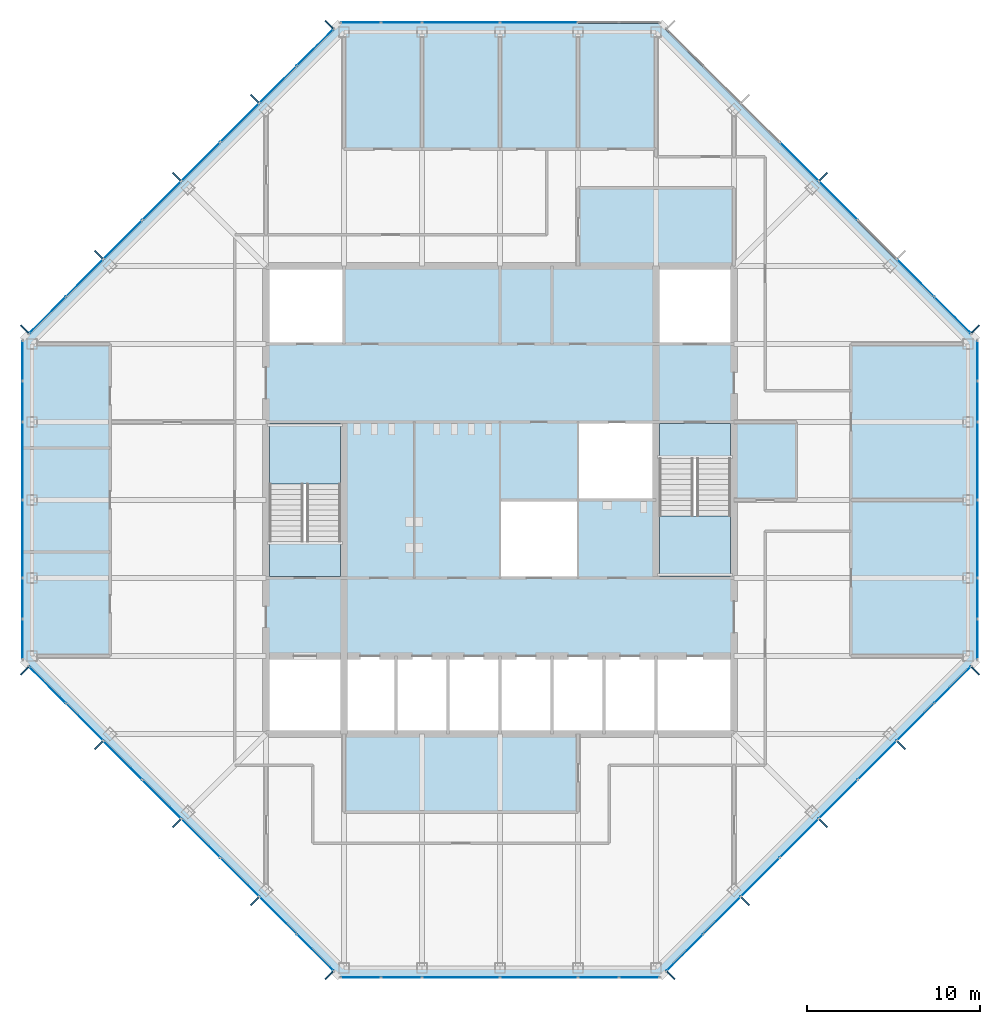
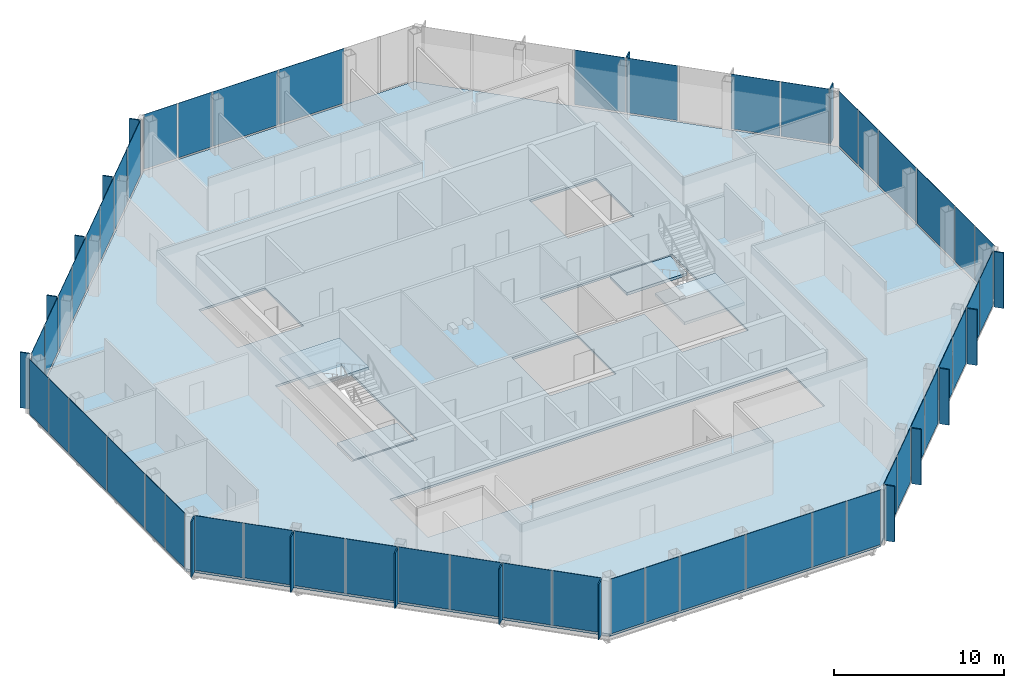
# One storey, part 8 of 14: 67 plates, 5 slabs, 10 elements without a shape of their own.
"""IFC4 building model written with IfcOpenShell, lengths in metres."""

import ifcopenshell
import ifcopenshell.guid

model = None  # the IFC model being written
_history = None  # IfcOwnerHistory: only IFC2X3 demands one
_inside = {}  # id of a spatial element -> (the spatial element, [elements in it])
_under = {}  # id of a project, library or spatial element -> (it, [spatial elements below it])
_declared = {}  # id of a project -> (the project, [libraries it declares])
_typed = {}  # id of a type object -> (the type object, [elements of that type])
_made_of = {}  # id of a material, layer set ... -> (it, [elements and type objects made of it])


def new_model(schema):
    """Start an empty IFC model of exactly this schema.

    Asked for "IFC4X3", IfcOpenShell would pick the latest addendum, in which some entities
    have other attributes; the version numbers below select the first issue.
    IFC2X3 requires an IfcOwnerHistory on every rooted entity: one is made here for all.
    """
    global model, _history
    if schema == "IFC4X3":
        model = ifcopenshell.file(schema_version=(4, 3, 0, 0))
    else:
        model = ifcopenshell.file(schema=schema)
    _inside.clear()
    _under.clear()
    _declared.clear()
    _typed.clear()
    _made_of.clear()
    _history = None
    if model.schema == "IFC2X3":
        org = make("IfcOrganization", Name="unknown")
        user = make(
            "IfcPersonAndOrganization",
            ThePerson=make("IfcPerson", FamilyName="unknown"),
            TheOrganization=org,
        )
        app = make(
            "IfcApplication",
            ApplicationDeveloper=org,
            Version="unknown",
            ApplicationFullName="unknown",
            ApplicationIdentifier="unknown",
        )
        _history = make(
            "IfcOwnerHistory",
            OwningUser=user,
            OwningApplication=app,
            ChangeAction="ADDED",
            CreationDate=0,
        )
    return model


def make(cls, **values):
    """One entity of the class cls with the attributes given. An attribute that is None is left unset."""
    return model.create_entity(
        cls, **{name: value for name, value in values.items() if value is not None}
    )


def rooted(cls, **values):
    """An entity with a GlobalId (a new one), such as an element, a storey or a relation."""
    return make(cls, GlobalId=ifcopenshell.guid.new(), OwnerHistory=_history, **values)


def si_unit(unit_type, name, prefix=None):
    """IfcSIUnit, for example si_unit("LENGTHUNIT", "METRE", prefix="MILLI")."""
    return make("IfcSIUnit", UnitType=unit_type, Prefix=prefix, Name=name)


def assignment(units):
    """IfcUnitAssignment: the units of a project."""
    return None if units is None else make("IfcUnitAssignment", Units=units)


def point(xyz):
    """IfcCartesianPoint."""
    return None if xyz is None else make("IfcCartesianPoint", Coordinates=xyz)


def direction(xyz):
    """IfcDirection."""
    return None if xyz is None else make("IfcDirection", DirectionRatios=xyz)


def frame(location, z_axis=None, x_axis=None):
    """IfcAxis2Placement3D, a coordinate frame: its origin and axes. An axis left out is left unset."""
    return make(
        "IfcAxis2Placement3D",
        Location=point(location),
        Axis=direction(z_axis),
        RefDirection=direction(x_axis),
    )


def frame_2d(location, x_axis=None):
    """IfcAxis2Placement2D, a coordinate frame in the plane: its origin and x axis."""
    return make(
        "IfcAxis2Placement2D", Location=point(location), RefDirection=direction(x_axis)
    )


def origin():
    """The frame at (0, 0, 0) with its axes left unset."""
    return frame((0.0, 0.0, 0.0))


def origin_2d():
    """The frame at (0, 0) in the plane with its x axis left unset."""
    return frame_2d((0.0, 0.0))


def place(relative_to, where):
    """IfcLocalPlacement: puts the frame where relative to a parent placement (None: the world)."""
    return make(
        "IfcLocalPlacement", PlacementRelTo=relative_to, RelativePlacement=where
    )


def context(
    kind, dimensions, precision=None, world=None, true_north=None, identifier=None
):
    """IfcGeometricRepresentationContext, for example the 3D "Model" context."""
    return make(
        "IfcGeometricRepresentationContext",
        ContextIdentifier=identifier,
        ContextType=kind,
        CoordinateSpaceDimension=dimensions,
        Precision=precision,
        WorldCoordinateSystem=world,
        TrueNorth=true_north,
    )


def subcontext(parent, identifier, kind, view, scale=None):
    """IfcGeometricRepresentationSubContext, for example "Body" below "Model"."""
    return make(
        "IfcGeometricRepresentationSubContext",
        ContextIdentifier=identifier,
        ContextType=kind,
        ParentContext=parent,
        TargetScale=scale,
        TargetView=view,
    )


def project(units=None, contexts=None):
    """IfcProject with its units and contexts."""
    return rooted(
        "IfcProject",
        Name="project",
        RepresentationContexts=contexts,
        UnitsInContext=assignment(units),
    )


def spatial(cls, under=None, at=None, **own):
    """A site, building, storey or space (cls), placed at a placement, below another one or the project."""
    s = rooted(cls, ObjectPlacement=at, **own)
    if under is not None:
        _under.setdefault(under.id(), (under, []))[1].append(s)
    return s


def polyline(points):
    """IfcPolyline through the points."""
    return make("IfcPolyline", Points=[point(p) for p in points])


def profile(cls, at=None, kind="AREA", **sizes):
    """A parametric profile (cls). Its sizes go by their IFC names, for example OverallWidth=200.0."""
    return make(cls, ProfileType=kind, Position=at, **sizes)


def rectangle(**sizes):
    """IfcRectangleProfileDef."""
    return profile("IfcRectangleProfileDef", **sizes)


def outline(outer, holes=None, kind="AREA"):
    """IfcArbitraryClosedProfileDef: a profile drawn as a closed curve; with holes, ...WithVoids."""
    if holes is None:
        return make("IfcArbitraryClosedProfileDef", ProfileType=kind, OuterCurve=outer)
    return make(
        "IfcArbitraryProfileDefWithVoids",
        ProfileType=kind,
        OuterCurve=outer,
        InnerCurves=holes,
    )


def extrude(swept, where, along, depth):
    """IfcExtrudedAreaSolid: the profile swept, set in the frame where, extruded along a direction by depth."""
    return make(
        "IfcExtrudedAreaSolid",
        SweptArea=swept,
        Position=where,
        ExtrudedDirection=direction(along),
        Depth=depth,
    )


def shape(context_of_items, identifier, shape_type, items):
    """IfcShapeRepresentation: the items that make up one representation, for example the "Body"."""
    return make(
        "IfcShapeRepresentation",
        ContextOfItems=context_of_items,
        RepresentationIdentifier=identifier,
        RepresentationType=shape_type,
        Items=items,
    )


def material(Name=None, Category=None):
    """IfcMaterial."""
    return make("IfcMaterial", Name=Name, Category=Category)


def layer(
    of_material, thickness, ventilated=None, Name=None, Category=None, Priority=None
):
    """IfcMaterialLayer: one layer of a wall or slab, of a material (None: an air gap)."""
    return make(
        "IfcMaterialLayer",
        Material=of_material,
        LayerThickness=thickness,
        IsVentilated=ventilated,
        Name=Name,
        Category=Category,
        Priority=Priority,
    )


def layer_set(layers, Name=None):
    """IfcMaterialLayerSet."""
    return make("IfcMaterialLayerSet", MaterialLayers=layers, LayerSetName=Name)


def made_of(thing, what):
    """Note that an element or type object is made of a material, layer set ...; save() writes the relation."""
    if what is not None:
        _made_of.setdefault(what.id(), (what, []))[1].append(thing)
    return thing


def type_object(cls, material=None, **own):
    """A type object (cls), such as IfcWallType, which elements share."""
    return made_of(rooted(cls, **own), material)


def element(
    cls,
    number,
    at=None,
    inside=None,
    cuts=None,
    type_object=None,
    material=None,
    context=None,
    identifier="Body",
    shape_type=None,
    held_by="IfcProductDefinitionShape",
    body=None,
    shapes=None,
    **own,
):
    """One element of the class cls, such as IfcWall. Its Tag is "e" and its number.

    at: its placement. inside: the storey or other place that contains it. cuts: it is an
    opening in that element (IfcRelVoidsElement). A single representation is given by context,
    identifier, shape_type and body (its items); several are given by shapes. held_by: the class
    of the entity that holds the representations. save() writes the other relations.
    """
    e = rooted(cls, Tag="e%d" % number, ObjectPlacement=at, **own)
    if body is not None:
        shapes = [shape(context, identifier, shape_type, body)]
    if shapes is not None:
        e.Representation = make(held_by, Representations=shapes)
    if inside is not None:
        _inside.setdefault(inside.id(), (inside, []))[1].append(e)
    if cuts is not None:
        rooted(
            "IfcRelVoidsElement", RelatingBuildingElement=cuts, RelatedOpeningElement=e
        )
    if type_object is not None:
        _typed.setdefault(type_object.id(), (type_object, []))[1].append(e)
    return made_of(e, material)


def aggregate(whole, parts):
    """IfcRelAggregates: a whole, such as a stair, and the parts it consists of."""
    return rooted("IfcRelAggregates", RelatingObject=whole, RelatedObjects=parts)


def save(model, path):
    """Write the relations noted so far, then the file.

    IfcRelAggregates (storeys below a building ...), IfcRelContainedInSpatialStructure (elements
    in a storey), IfcRelDefinesByType, IfcRelAssociatesMaterial and IfcRelDeclares: one each for
    every whole, place, type object, material and project.
    """
    for whole, parts in _under.values():
        aggregate(whole, parts)
    for where, things in _inside.values():
        rooted(
            "IfcRelContainedInSpatialStructure",
            RelatedElements=things,
            RelatingStructure=where,
        )
    for kind, things in _typed.values():
        rooted("IfcRelDefinesByType", RelatedObjects=things, RelatingType=kind)
    for what, things in _made_of.values():
        rooted("IfcRelAssociatesMaterial", RelatedObjects=things, RelatingMaterial=what)
    for by, libraries in _declared.values():
        rooted("IfcRelDeclares", RelatingContext=by, RelatedDefinitions=libraries)
    model.write(path)


model = new_model("IFC4")

# Units and contexts
model_context = context("Model", 3, precision=1e-05, world=origin(), true_north=direction((0.0, 1.0)))
body_context = subcontext(model_context, "Body", "Model", "MODEL_VIEW")
ifc_project = project(units=[si_unit("LENGTHUNIT", "METRE"), si_unit("AREAUNIT", "SQUARE_METRE"), si_unit("VOLUMEUNIT", "CUBIC_METRE"), si_unit("PLANEANGLEUNIT", "RADIAN"), si_unit("MASSUNIT", "GRAM", prefix="KILO")], contexts=[model_context])

# Site, building, storey
site_placement = place(None, origin())
site = spatial("IfcSite", under=ifc_project, at=site_placement, CompositionType="ELEMENT")
building_placement = place(site_placement, origin())
building = spatial("IfcBuilding", under=site, at=building_placement, Name="Corais Broadcast Tower", CompositionType="ELEMENT")
storey_placement = place(building_placement, frame((0.0, 0.0, 286.60009765625)))
storey = spatial("IfcBuildingStorey", under=building, at=storey_placement, Name="L67", CompositionType="ELEMENT", Elevation=286.60009765625)

# Slab
ifc_material_1 = material(Name="Concrete C30/37", Category="concrete")
ifc_layer_1 = layer(ifc_material_1, 0.159912109375)
ifc_layer_set_1 = layer_set([ifc_layer_1], Name="Concrete C30/37")
slab_type_1 = type_object("IfcSlabType", Name="Composite floor slab 160", PredefinedType="FLOOR", material=ifc_layer_set_1)
slab_1_placement = place(storey_placement, frame((0.0, 0.0, -0.16015625)))
element("IfcSlab", 1, at=slab_1_placement, inside=storey, type_object=slab_type_1, Name="S160 floor slab L67", PredefinedType="FLOOR", context=body_context, shape_type="SweptSolid", body=[
    extrude(outline(polyline([(17.80126953125, -0.47998046875), (-0.47998046875, 17.80126953125), (-0.47998046875, 36.19873046875), (17.80126953125, 54.47998046875), (36.19873046875, 54.47998046875), (54.47998046875, 36.19873046875), (54.47998046875, 17.80126953125), (36.19873046875, -0.47998046875), (17.80126953125, -0.47998046875)]), holes=[polyline([(13.5, 18.0), (40.5, 18.0), (40.5, 13.5), (13.5, 13.5), (13.5, 18.0)]), polyline([(18.0, 22.5), (13.5, 22.5), (13.5, 31.5), (18.0, 31.5), (18.0, 22.5)]), polyline([(18.0, 36.0), (13.5, 36.0), (13.5, 40.5), (18.0, 40.5), (18.0, 36.0)]), polyline([(31.5, 22.5), (27.0, 22.5), (27.0, 27.0), (31.4951171875, 27.0), (31.4951171875, 27.0048828125), (31.5, 27.0048828125), (31.5, 31.5), (40.5, 31.5), (40.5, 22.5), (36.0, 22.5), (36.0, 27.0), (31.5048828125, 27.0), (31.5048828125, 26.9951171875), (31.5, 26.9951171875), (31.5, 22.5)]), polyline([(40.5, 36.0), (36.0, 36.0), (36.0, 40.5), (40.5, 40.5), (40.5, 36.0)])]), origin(), (0.0, 0.0, 1.0), 0.16015625),
])

# Curtain wall, plates
ifc_material_2 = material(Name="Aluminium and glass", Category="aluminium")
curtain_wall_type = type_object("IfcCurtainWallType", Name="Unitised fritted curtain wall CW3", PredefinedType="NOTDEFINED", material=ifc_material_2)
curtain_wall_1_placement = place(storey_placement, origin())
curtain_wall_1 = element("IfcCurtainWall", 2, at=curtain_wall_1_placement, inside=storey, type_object=curtain_wall_type, Name="CW3 curtain wall L67 1", PredefinedType="NOTDEFINED")
ifc_material_3 = material(Name="Ceramic-fritted laminated glass", Category="glass")
ifc_layer_2 = layer(ifc_material_3, 0.02587890625)
ifc_layer_set_2 = layer_set([ifc_layer_2], Name="Ceramic-fritted laminated glass")
plate_type_1 = type_object("IfcPlateType", Name="Fritted glass panel CW3", PredefinedType="CURTAIN_PANEL", material=ifc_layer_set_2)
plate_1_placement = place(storey_placement, frame((16.330322265625, 0.891845703125, 0.06494140625), z_axis=(0.0, 0.0, 1.0), x_axis=(-0.707106781187, 0.707106781187, 0.0)))
plate_1 = element("IfcPlate", 3, at=plate_1_placement, type_object=plate_type_1, Name="CW3 panel 1", PredefinedType="CURTAIN_PANEL", context=body_context, shape_type="SweptSolid", body=[
    extrude(rectangle(XDim=2.9482421875, YDim=0.02587890625, at=origin_2d()), origin(), (0.0, 0.0, 1.0), 3.93505859375),
])
plate_2_placement = place(storey_placement, frame((11.986083984375, 5.236083984375, 0.06494140625), z_axis=(0.0, 0.0, 1.0), x_axis=(-0.707106781187, 0.707106781187, 0.0)))
plate_2 = element("IfcPlate", 4, at=plate_2_placement, type_object=plate_type_1, Name="CW3 panel 3", PredefinedType="CURTAIN_PANEL", context=body_context, shape_type="SweptSolid", body=[
    extrude(rectangle(XDim=3.116943359375, YDim=0.02587890625, at=origin_2d()), origin(), (0.0, 0.0, 1.0), 3.93505859375),
])
plate_3_placement = place(storey_placement, frame((7.486083984375, 9.736083984375, 0.06494140625), z_axis=(0.0, 0.0, 1.0), x_axis=(-0.707106781187, 0.707106781187, 0.0)))
plate_3 = element("IfcPlate", 5, at=plate_3_placement, type_object=plate_type_1, Name="CW3 panel 5", PredefinedType="CURTAIN_PANEL", context=body_context, shape_type="SweptSolid", body=[
    extrude(rectangle(XDim=3.116943359375, YDim=0.02587890625, at=origin_2d()), origin(), (0.0, 0.0, 1.0), 3.93505859375),
])
plate_4_placement = place(storey_placement, frame((3.0341796875, 14.18798828125, 0.06494140625), z_axis=(0.0, 0.0, 1.0), x_axis=(-0.707106781187, 0.707106781187, 0.0)))
plate_4 = element("IfcPlate", 6, at=plate_4_placement, type_object=plate_type_1, Name="CW3 panel 7", PredefinedType="CURTAIN_PANEL", context=body_context, shape_type="SweptSolid", body=[
    extrude(rectangle(XDim=2.98095703125, YDim=0.02587890625, at=origin_2d()), origin(), (0.0, 0.0, 1.0), 3.93505859375),
])

curtain_wall_2_placement = place(storey_placement, origin())
curtain_wall_2 = element("IfcCurtainWall", 7, at=curtain_wall_2_placement, inside=storey, type_object=curtain_wall_type, Name="CW3 curtain wall L67 2", PredefinedType="NOTDEFINED")
plate_5_placement = place(storey_placement, frame((-0.550048828125, 18.970458984375, 0.06494140625), z_axis=(0.0, 0.0, 1.0), x_axis=(0.0, 1.0, 0.0)))
plate_5 = element("IfcPlate", 8, at=plate_5_placement, type_object=plate_type_1, Name="CW3 panel 1", PredefinedType="CURTAIN_PANEL", context=body_context, shape_type="SweptSolid", body=[
    extrude(rectangle(XDim=2.266357421875, YDim=0.02587890625, at=origin_2d()), origin(), (0.0, 0.0, 1.0), 3.93505859375),
])
plate_6_placement = place(storey_placement, frame((-0.550048828125, 24.75, 0.06494140625), z_axis=(0.0, 0.0, 1.0), x_axis=(0.0, 1.0, 0.0)))
plate_6 = element("IfcPlate", 9, at=plate_6_placement, type_object=plate_type_1, Name="CW3 panel 3", PredefinedType="CURTAIN_PANEL", context=body_context, shape_type="SweptSolid", body=[
    extrude(rectangle(XDim=4.43505859375, YDim=0.02587890625, at=origin_2d()), origin(), (0.0, 0.0, 1.0), 3.93505859375),
])
plate_7_placement = place(storey_placement, frame((-0.550048828125, 32.681884765625, 0.06494140625), z_axis=(0.0, 0.0, 1.0), x_axis=(0.0, 1.0, 0.0)))
plate_7 = element("IfcPlate", 10, at=plate_7_placement, type_object=plate_type_1, Name="CW3 panel 5", PredefinedType="CURTAIN_PANEL", context=body_context, shape_type="SweptSolid", body=[
    extrude(rectangle(XDim=2.298828125, YDim=0.02587890625, at=origin_2d()), origin(), (0.0, 0.0, 1.0), 3.93505859375),
])

curtain_wall_3_placement = place(storey_placement, origin())
curtain_wall_3 = element("IfcCurtainWall", 11, at=curtain_wall_3_placement, inside=storey, type_object=curtain_wall_type, Name="CW3 curtain wall L67 3", PredefinedType="NOTDEFINED")
plate_8_placement = place(storey_placement, frame((0.891845703125, 37.669677734375, 0.06494140625), z_axis=(0.0, 0.0, 1.0), x_axis=(0.707106781187, 0.707106781187, 0.0)))
plate_8 = element("IfcPlate", 12, at=plate_8_placement, type_object=plate_type_1, Name="CW3 panel 1", PredefinedType="CURTAIN_PANEL", context=body_context, shape_type="SweptSolid", body=[
    extrude(rectangle(XDim=2.9482421875, YDim=0.02587890625, at=origin_2d()), origin(), (0.0, 0.0, 1.0), 3.93505859375),
])
plate_9_placement = place(storey_placement, frame((5.236083984375, 42.013916015625, 0.06494140625), z_axis=(0.0, 0.0, 1.0), x_axis=(0.707106781187, 0.707106781187, 0.0)))
plate_9 = element("IfcPlate", 13, at=plate_9_placement, type_object=plate_type_1, Name="CW3 panel 3", PredefinedType="CURTAIN_PANEL", context=body_context, shape_type="SweptSolid", body=[
    extrude(rectangle(XDim=3.116943359375, YDim=0.02587890625, at=origin_2d()), origin(), (0.0, 0.0, 1.0), 3.93505859375),
])
plate_10_placement = place(storey_placement, frame((9.736083984375, 46.513916015625, 0.06494140625), z_axis=(0.0, 0.0, 1.0), x_axis=(0.707106781187, 0.707106781187, 0.0)))
plate_10 = element("IfcPlate", 14, at=plate_10_placement, type_object=plate_type_1, Name="CW3 panel 5", PredefinedType="CURTAIN_PANEL", context=body_context, shape_type="SweptSolid", body=[
    extrude(rectangle(XDim=3.116943359375, YDim=0.02587890625, at=origin_2d()), origin(), (0.0, 0.0, 1.0), 3.93505859375),
])
plate_11_placement = place(storey_placement, frame((14.18798828125, 50.9658203125, 0.06494140625), z_axis=(0.0, 0.0, 1.0), x_axis=(0.707106781187, 0.707106781187, 0.0)))
plate_11 = element("IfcPlate", 15, at=plate_11_placement, type_object=plate_type_1, Name="CW3 panel 7", PredefinedType="CURTAIN_PANEL", context=body_context, shape_type="SweptSolid", body=[
    extrude(rectangle(XDim=2.98095703125, YDim=0.02587890625, at=origin_2d()), origin(), (0.0, 0.0, 1.0), 3.93505859375),
])

curtain_wall_4_placement = place(storey_placement, origin())
curtain_wall_4 = element("IfcCurtainWall", 16, at=curtain_wall_4_placement, inside=storey, type_object=curtain_wall_type, Name="CW3 curtain wall L67 4", PredefinedType="NOTDEFINED")
plate_12_placement = place(storey_placement, frame((18.970458984375, 54.550048828125, 0.06494140625), z_axis=(0.0, 0.0, 1.0), x_axis=(1.0, 0.0, 0.0)))
plate_12 = element("IfcPlate", 17, at=plate_12_placement, type_object=plate_type_1, Name="CW3 panel 1", PredefinedType="CURTAIN_PANEL", context=body_context, shape_type="SweptSolid", body=[
    extrude(rectangle(XDim=2.266357421875, YDim=0.02587890625, at=origin_2d()), origin(), (0.0, 0.0, 1.0), 3.93505859375),
])
plate_13_placement = place(storey_placement, frame((24.75, 54.550048828125, 0.06494140625), z_axis=(0.0, 0.0, 1.0), x_axis=(1.0, 0.0, 0.0)))
plate_13 = element("IfcPlate", 18, at=plate_13_placement, type_object=plate_type_1, Name="CW3 panel 3", PredefinedType="CURTAIN_PANEL", context=body_context, shape_type="SweptSolid", body=[
    extrude(rectangle(XDim=4.43505859375, YDim=0.02587890625, at=origin_2d()), origin(), (0.0, 0.0, 1.0), 3.93505859375),
])

curtain_wall_5_placement = place(storey_placement, origin())
curtain_wall_5 = element("IfcCurtainWall", 19, at=curtain_wall_5_placement, inside=storey, type_object=curtain_wall_type, Name="CW3 curtain wall L67 5", PredefinedType="NOTDEFINED")
plate_14_placement = place(storey_placement, frame((46.513916015625, 44.263916015625, 0.06494140625), z_axis=(0.0, 0.0, 1.0), x_axis=(0.707106781187, -0.707106781187, 0.0)))
plate_14 = element("IfcPlate", 20, at=plate_14_placement, type_object=plate_type_1, Name="CW3 panel 5", PredefinedType="CURTAIN_PANEL", context=body_context, shape_type="SweptSolid", body=[
    extrude(rectangle(XDim=3.116943359375, YDim=0.02587890625, at=origin_2d()), origin(), (0.0, 0.0, 1.0), 3.93505859375),
])
plate_15_placement = place(storey_placement, frame((50.9658203125, 39.81201171875, 0.06494140625), z_axis=(0.0, 0.0, 1.0), x_axis=(0.707106781187, -0.707106781187, 0.0)))
plate_15 = element("IfcPlate", 21, at=plate_15_placement, type_object=plate_type_1, Name="CW3 panel 7", PredefinedType="CURTAIN_PANEL", context=body_context, shape_type="SweptSolid", body=[
    extrude(rectangle(XDim=2.98095703125, YDim=0.02587890625, at=origin_2d()), origin(), (0.0, 0.0, 1.0), 3.93505859375),
])

curtain_wall_6_placement = place(storey_placement, origin())
curtain_wall_6 = element("IfcCurtainWall", 22, at=curtain_wall_6_placement, inside=storey, type_object=curtain_wall_type, Name="CW3 curtain wall L67 6", PredefinedType="NOTDEFINED")
plate_16_placement = place(storey_placement, frame((54.550048828125, 35.029541015625, 0.06494140625), z_axis=(0.0, 0.0, 1.0), x_axis=(0.0, -1.0, 0.0)))
plate_16 = element("IfcPlate", 23, at=plate_16_placement, type_object=plate_type_1, Name="CW3 panel 1", PredefinedType="CURTAIN_PANEL", context=body_context, shape_type="SweptSolid", body=[
    extrude(rectangle(XDim=2.266357421875, YDim=0.02587890625, at=origin_2d()), origin(), (0.0, 0.0, 1.0), 3.93505859375),
])
plate_17_placement = place(storey_placement, frame((54.550048828125, 29.25, 0.06494140625), z_axis=(0.0, 0.0, 1.0), x_axis=(0.0, -1.0, 0.0)))
plate_17 = element("IfcPlate", 24, at=plate_17_placement, type_object=plate_type_1, Name="CW3 panel 3", PredefinedType="CURTAIN_PANEL", context=body_context, shape_type="SweptSolid", body=[
    extrude(rectangle(XDim=4.43505859375, YDim=0.02587890625, at=origin_2d()), origin(), (0.0, 0.0, 1.0), 3.93505859375),
])
plate_18_placement = place(storey_placement, frame((54.550048828125, 21.318115234375, 0.06494140625), z_axis=(0.0, 0.0, 1.0), x_axis=(0.0, -1.0, 0.0)))
plate_18 = element("IfcPlate", 25, at=plate_18_placement, type_object=plate_type_1, Name="CW3 panel 5", PredefinedType="CURTAIN_PANEL", context=body_context, shape_type="SweptSolid", body=[
    extrude(rectangle(XDim=2.298828125, YDim=0.02587890625, at=origin_2d()), origin(), (0.0, 0.0, 1.0), 3.93505859375),
])

curtain_wall_7_placement = place(storey_placement, origin())
curtain_wall_7 = element("IfcCurtainWall", 26, at=curtain_wall_7_placement, inside=storey, type_object=curtain_wall_type, Name="CW3 curtain wall L67 7", PredefinedType="NOTDEFINED")
plate_19_placement = place(storey_placement, frame((53.108154296875, 16.330322265625, 0.06494140625), z_axis=(0.0, 0.0, 1.0), x_axis=(-0.707106781187, -0.707106781187, 0.0)))
plate_19 = element("IfcPlate", 27, at=plate_19_placement, type_object=plate_type_1, Name="CW3 panel 1", PredefinedType="CURTAIN_PANEL", context=body_context, shape_type="SweptSolid", body=[
    extrude(rectangle(XDim=2.9482421875, YDim=0.02587890625, at=origin_2d()), origin(), (0.0, 0.0, 1.0), 3.93505859375),
])
plate_20_placement = place(storey_placement, frame((48.763916015625, 11.986083984375, 0.06494140625), z_axis=(0.0, 0.0, 1.0), x_axis=(-0.707106781187, -0.707106781187, 0.0)))
plate_20 = element("IfcPlate", 28, at=plate_20_placement, type_object=plate_type_1, Name="CW3 panel 3", PredefinedType="CURTAIN_PANEL", context=body_context, shape_type="SweptSolid", body=[
    extrude(rectangle(XDim=3.116943359375, YDim=0.02587890625, at=origin_2d()), origin(), (0.0, 0.0, 1.0), 3.93505859375),
])
plate_21_placement = place(storey_placement, frame((44.263916015625, 7.486083984375, 0.06494140625), z_axis=(0.0, 0.0, 1.0), x_axis=(-0.707106781187, -0.707106781187, 0.0)))
plate_21 = element("IfcPlate", 29, at=plate_21_placement, type_object=plate_type_1, Name="CW3 panel 5", PredefinedType="CURTAIN_PANEL", context=body_context, shape_type="SweptSolid", body=[
    extrude(rectangle(XDim=3.116943359375, YDim=0.02587890625, at=origin_2d()), origin(), (0.0, 0.0, 1.0), 3.93505859375),
])
plate_22_placement = place(storey_placement, frame((39.81201171875, 3.0341796875, 0.06494140625), z_axis=(0.0, 0.0, 1.0), x_axis=(-0.707106781187, -0.707106781187, 0.0)))
plate_22 = element("IfcPlate", 30, at=plate_22_placement, type_object=plate_type_1, Name="CW3 panel 7", PredefinedType="CURTAIN_PANEL", context=body_context, shape_type="SweptSolid", body=[
    extrude(rectangle(XDim=2.98095703125, YDim=0.02587890625, at=origin_2d()), origin(), (0.0, 0.0, 1.0), 3.93505859375),
])

curtain_wall_8_placement = place(storey_placement, origin())
curtain_wall_8 = element("IfcCurtainWall", 31, at=curtain_wall_8_placement, inside=storey, type_object=curtain_wall_type, Name="CW3 curtain wall L67 8", PredefinedType="NOTDEFINED")
plate_23_placement = place(storey_placement, frame((35.029541015625, -0.550048828125, 0.06494140625), z_axis=(0.0, 0.0, 1.0), x_axis=(-1.0, 0.0, 0.0)))
plate_23 = element("IfcPlate", 32, at=plate_23_placement, type_object=plate_type_1, Name="CW3 panel 1", PredefinedType="CURTAIN_PANEL", context=body_context, shape_type="SweptSolid", body=[
    extrude(rectangle(XDim=2.266357421875, YDim=0.02587890625, at=origin_2d()), origin(), (0.0, 0.0, 1.0), 3.93505859375),
])
plate_24_placement = place(storey_placement, frame((29.25, -0.550048828125, 0.06494140625), z_axis=(0.0, 0.0, 1.0), x_axis=(-1.0, 0.0, 0.0)))
plate_24 = element("IfcPlate", 33, at=plate_24_placement, type_object=plate_type_1, Name="CW3 panel 3", PredefinedType="CURTAIN_PANEL", context=body_context, shape_type="SweptSolid", body=[
    extrude(rectangle(XDim=4.43505859375, YDim=0.02587890625, at=origin_2d()), origin(), (0.0, 0.0, 1.0), 3.93505859375),
])
plate_25_placement = place(storey_placement, frame((21.318115234375, -0.550048828125, 0.06494140625), z_axis=(0.0, 0.0, 1.0), x_axis=(-1.0, 0.0, 0.0)))
plate_25 = element("IfcPlate", 34, at=plate_25_placement, type_object=plate_type_1, Name="CW3 panel 5", PredefinedType="CURTAIN_PANEL", context=body_context, shape_type="SweptSolid", body=[
    extrude(rectangle(XDim=2.298828125, YDim=0.02587890625, at=origin_2d()), origin(), (0.0, 0.0, 1.0), 3.93505859375),
])

# Plate
ifc_material_4 = material(Name="Clear laminated glass", Category="glass")
ifc_layer_3 = layer(ifc_material_4, 0.030029296875)
ifc_layer_set_3 = layer_set([ifc_layer_3], Name="Clear laminated glass")
plate_type_2 = type_object("IfcPlateType", Name="Operable glass panel CW3", PredefinedType="CURTAIN_PANEL", material=ifc_layer_set_3)
plate_26_placement = place(storey_placement, frame((14.18798828125, 3.0341796875, 0.06494140625), z_axis=(0.0, 0.0, 1.0), x_axis=(-0.707106781187, 0.707106781187, 0.0)))
plate_26 = element("IfcPlate", 35, at=plate_26_placement, type_object=plate_type_2, Name="CW3 operable panel 2", PredefinedType="CURTAIN_PANEL", context=body_context, shape_type="SweptSolid", body=[
    extrude(rectangle(XDim=2.98095703125, YDim=0.030029296875, at=origin_2d()), origin(), (0.0, 0.0, 1.0), 3.93505859375),
])

plate_27_placement = place(storey_placement, frame((9.736083984375, 7.486083984375, 0.06494140625), z_axis=(0.0, 0.0, 1.0), x_axis=(-0.707106781187, 0.707106781187, 0.0)))
plate_27 = element("IfcPlate", 36, at=plate_27_placement, type_object=plate_type_2, Name="CW3 operable panel 4", PredefinedType="CURTAIN_PANEL", context=body_context, shape_type="SweptSolid", body=[
    extrude(rectangle(XDim=3.116943359375, YDim=0.030029296875, at=origin_2d()), origin(), (0.0, 0.0, 1.0), 3.93505859375),
])

plate_28_placement = place(storey_placement, frame((5.236083984375, 11.986083984375, 0.06494140625), z_axis=(0.0, 0.0, 1.0), x_axis=(-0.707106781187, 0.707106781187, 0.0)))
plate_28 = element("IfcPlate", 37, at=plate_28_placement, type_object=plate_type_2, Name="CW3 operable panel 6", PredefinedType="CURTAIN_PANEL", context=body_context, shape_type="SweptSolid", body=[
    extrude(rectangle(XDim=3.116943359375, YDim=0.030029296875, at=origin_2d()), origin(), (0.0, 0.0, 1.0), 3.93505859375),
])

plate_29_placement = place(storey_placement, frame((0.89208984375, 16.330322265625, 0.06494140625), z_axis=(0.0, 0.0, 1.0), x_axis=(-0.707106781187, 0.707106781187, 0.0)))
plate_29 = element("IfcPlate", 38, at=plate_29_placement, type_object=plate_type_2, Name="CW3 operable panel 8", PredefinedType="CURTAIN_PANEL", context=body_context, shape_type="SweptSolid", body=[
    extrude(rectangle(XDim=2.948486328125, YDim=0.030029296875, at=origin_2d()), origin(), (0.0, 0.0, 1.0), 3.93505859375),
])

aggregate(curtain_wall_1, [plate_1, plate_26, plate_2, plate_27, plate_3, plate_28, plate_4, plate_29])

plate_30_placement = place(storey_placement, frame((-0.550048828125, 21.318115234375, 0.06494140625), z_axis=(0.0, 0.0, 1.0), x_axis=(0.0, 1.0, 0.0)))
plate_30 = element("IfcPlate", 39, at=plate_30_placement, type_object=plate_type_2, Name="CW3 operable panel 2", PredefinedType="CURTAIN_PANEL", context=body_context, shape_type="SweptSolid", body=[
    extrude(rectangle(XDim=2.298828125, YDim=0.030029296875, at=origin_2d()), origin(), (0.0, 0.0, 1.0), 3.93505859375),
])

plate_31_placement = place(storey_placement, frame((-0.550048828125, 29.25, 0.06494140625), z_axis=(0.0, 0.0, 1.0), x_axis=(0.0, 1.0, 0.0)))
plate_31 = element("IfcPlate", 40, at=plate_31_placement, type_object=plate_type_2, Name="CW3 operable panel 4", PredefinedType="CURTAIN_PANEL", context=body_context, shape_type="SweptSolid", body=[
    extrude(rectangle(XDim=4.43505859375, YDim=0.030029296875, at=origin_2d()), origin(), (0.0, 0.0, 1.0), 3.93505859375),
])

plate_32_placement = place(storey_placement, frame((-0.550048828125, 35.029541015625, 0.06494140625), z_axis=(0.0, 0.0, 1.0), x_axis=(0.0, 1.0, 0.0)))
plate_32 = element("IfcPlate", 41, at=plate_32_placement, type_object=plate_type_2, Name="CW3 operable panel 6", PredefinedType="CURTAIN_PANEL", context=body_context, shape_type="SweptSolid", body=[
    extrude(rectangle(XDim=2.266357421875, YDim=0.030029296875, at=origin_2d()), origin(), (0.0, 0.0, 1.0), 3.93505859375),
])

aggregate(curtain_wall_2, [plate_5, plate_30, plate_6, plate_31, plate_7, plate_32])

plate_33_placement = place(storey_placement, frame((3.0341796875, 39.81201171875, 0.06494140625), z_axis=(0.0, 0.0, 1.0), x_axis=(0.707106781187, 0.707106781187, 0.0)))
plate_33 = element("IfcPlate", 42, at=plate_33_placement, type_object=plate_type_2, Name="CW3 operable panel 2", PredefinedType="CURTAIN_PANEL", context=body_context, shape_type="SweptSolid", body=[
    extrude(rectangle(XDim=2.98095703125, YDim=0.030029296875, at=origin_2d()), origin(), (0.0, 0.0, 1.0), 3.93505859375),
])

plate_34_placement = place(storey_placement, frame((7.486083984375, 44.263916015625, 0.06494140625), z_axis=(0.0, 0.0, 1.0), x_axis=(0.707106781187, 0.707106781187, 0.0)))
plate_34 = element("IfcPlate", 43, at=plate_34_placement, type_object=plate_type_2, Name="CW3 operable panel 4", PredefinedType="CURTAIN_PANEL", context=body_context, shape_type="SweptSolid", body=[
    extrude(rectangle(XDim=3.116943359375, YDim=0.030029296875, at=origin_2d()), origin(), (0.0, 0.0, 1.0), 3.93505859375),
])

plate_35_placement = place(storey_placement, frame((11.986083984375, 48.763916015625, 0.06494140625), z_axis=(0.0, 0.0, 1.0), x_axis=(0.707106781187, 0.707106781187, 0.0)))
plate_35 = element("IfcPlate", 44, at=plate_35_placement, type_object=plate_type_2, Name="CW3 operable panel 6", PredefinedType="CURTAIN_PANEL", context=body_context, shape_type="SweptSolid", body=[
    extrude(rectangle(XDim=3.116943359375, YDim=0.030029296875, at=origin_2d()), origin(), (0.0, 0.0, 1.0), 3.93505859375),
])

plate_36_placement = place(storey_placement, frame((16.330322265625, 53.10791015625, 0.06494140625), z_axis=(0.0, 0.0, 1.0), x_axis=(0.707106781187, 0.707106781187, 0.0)))
plate_36 = element("IfcPlate", 45, at=plate_36_placement, type_object=plate_type_2, Name="CW3 operable panel 8", PredefinedType="CURTAIN_PANEL", context=body_context, shape_type="SweptSolid", body=[
    extrude(rectangle(XDim=2.948486328125, YDim=0.030029296875, at=origin_2d()), origin(), (0.0, 0.0, 1.0), 3.93505859375),
])

aggregate(curtain_wall_3, [plate_8, plate_33, plate_9, plate_34, plate_10, plate_35, plate_11, plate_36])

plate_37_placement = place(storey_placement, frame((21.318115234375, 54.550048828125, 0.06494140625), z_axis=(0.0, 0.0, 1.0), x_axis=(1.0, 0.0, 0.0)))
plate_37 = element("IfcPlate", 46, at=plate_37_placement, type_object=plate_type_2, Name="CW3 operable panel 2", PredefinedType="CURTAIN_PANEL", context=body_context, shape_type="SweptSolid", body=[
    extrude(rectangle(XDim=2.298828125, YDim=0.030029296875, at=origin_2d()), origin(), (0.0, 0.0, 1.0), 3.93505859375),
])

plate_38_placement = place(storey_placement, frame((29.25, 54.550048828125, 0.06494140625), z_axis=(0.0, 0.0, 1.0), x_axis=(1.0, 0.0, 0.0)))
plate_38 = element("IfcPlate", 47, at=plate_38_placement, type_object=plate_type_2, Name="CW3 operable panel 4", PredefinedType="CURTAIN_PANEL", context=body_context, shape_type="SweptSolid", body=[
    extrude(rectangle(XDim=4.43505859375, YDim=0.030029296875, at=origin_2d()), origin(), (0.0, 0.0, 1.0), 3.93505859375),
])

aggregate(curtain_wall_4, [plate_12, plate_37, plate_13, plate_38])

plate_39_placement = place(storey_placement, frame((44.263916015625, 46.513916015625, 0.06494140625), z_axis=(0.0, 0.0, 1.0), x_axis=(0.707106781187, -0.707106781187, 0.0)))
plate_39 = element("IfcPlate", 48, at=plate_39_placement, type_object=plate_type_2, Name="CW3 operable panel 4", PredefinedType="CURTAIN_PANEL", context=body_context, shape_type="SweptSolid", body=[
    extrude(rectangle(XDim=3.116943359375, YDim=0.030029296875, at=origin_2d()), origin(), (0.0, 0.0, 1.0), 3.93505859375),
])

plate_40_placement = place(storey_placement, frame((53.10791015625, 37.669677734375, 0.06494140625), z_axis=(0.0, 0.0, 1.0), x_axis=(0.707106781187, -0.707106781187, 0.0)))
plate_40 = element("IfcPlate", 49, at=plate_40_placement, type_object=plate_type_2, Name="CW3 operable panel 8", PredefinedType="CURTAIN_PANEL", context=body_context, shape_type="SweptSolid", body=[
    extrude(rectangle(XDim=2.948486328125, YDim=0.030029296875, at=origin_2d()), origin(), (0.0, 0.0, 1.0), 3.93505859375),
])

aggregate(curtain_wall_5, [plate_39, plate_14, plate_15, plate_40])

plate_41_placement = place(storey_placement, frame((54.550048828125, 32.681884765625, 0.06494140625), z_axis=(0.0, 0.0, 1.0), x_axis=(0.0, -1.0, 0.0)))
plate_41 = element("IfcPlate", 50, at=plate_41_placement, type_object=plate_type_2, Name="CW3 operable panel 2", PredefinedType="CURTAIN_PANEL", context=body_context, shape_type="SweptSolid", body=[
    extrude(rectangle(XDim=2.298828125, YDim=0.030029296875, at=origin_2d()), origin(), (0.0, 0.0, 1.0), 3.93505859375),
])

plate_42_placement = place(storey_placement, frame((54.550048828125, 24.75, 0.06494140625), z_axis=(0.0, 0.0, 1.0), x_axis=(0.0, -1.0, 0.0)))
plate_42 = element("IfcPlate", 51, at=plate_42_placement, type_object=plate_type_2, Name="CW3 operable panel 4", PredefinedType="CURTAIN_PANEL", context=body_context, shape_type="SweptSolid", body=[
    extrude(rectangle(XDim=4.43505859375, YDim=0.030029296875, at=origin_2d()), origin(), (0.0, 0.0, 1.0), 3.93505859375),
])

plate_43_placement = place(storey_placement, frame((54.550048828125, 18.970458984375, 0.06494140625), z_axis=(0.0, 0.0, 1.0), x_axis=(0.0, -1.0, 0.0)))
plate_43 = element("IfcPlate", 52, at=plate_43_placement, type_object=plate_type_2, Name="CW3 operable panel 6", PredefinedType="CURTAIN_PANEL", context=body_context, shape_type="SweptSolid", body=[
    extrude(rectangle(XDim=2.266357421875, YDim=0.030029296875, at=origin_2d()), origin(), (0.0, 0.0, 1.0), 3.93505859375),
])

aggregate(curtain_wall_6, [plate_16, plate_41, plate_17, plate_42, plate_18, plate_43])

plate_44_placement = place(storey_placement, frame((50.9658203125, 14.18798828125, 0.06494140625), z_axis=(0.0, 0.0, 1.0), x_axis=(-0.707106781187, -0.707106781187, 0.0)))
plate_44 = element("IfcPlate", 53, at=plate_44_placement, type_object=plate_type_2, Name="CW3 operable panel 2", PredefinedType="CURTAIN_PANEL", context=body_context, shape_type="SweptSolid", body=[
    extrude(rectangle(XDim=2.98095703125, YDim=0.030029296875, at=origin_2d()), origin(), (0.0, 0.0, 1.0), 3.93505859375),
])

plate_45_placement = place(storey_placement, frame((46.513916015625, 9.736083984375, 0.06494140625), z_axis=(0.0, 0.0, 1.0), x_axis=(-0.707106781187, -0.707106781187, 0.0)))
plate_45 = element("IfcPlate", 54, at=plate_45_placement, type_object=plate_type_2, Name="CW3 operable panel 4", PredefinedType="CURTAIN_PANEL", context=body_context, shape_type="SweptSolid", body=[
    extrude(rectangle(XDim=3.116943359375, YDim=0.030029296875, at=origin_2d()), origin(), (0.0, 0.0, 1.0), 3.93505859375),
])

plate_46_placement = place(storey_placement, frame((42.013916015625, 5.236083984375, 0.06494140625), z_axis=(0.0, 0.0, 1.0), x_axis=(-0.707106781187, -0.707106781187, 0.0)))
plate_46 = element("IfcPlate", 55, at=plate_46_placement, type_object=plate_type_2, Name="CW3 operable panel 6", PredefinedType="CURTAIN_PANEL", context=body_context, shape_type="SweptSolid", body=[
    extrude(rectangle(XDim=3.116943359375, YDim=0.030029296875, at=origin_2d()), origin(), (0.0, 0.0, 1.0), 3.93505859375),
])

plate_47_placement = place(storey_placement, frame((37.669677734375, 0.89208984375, 0.06494140625), z_axis=(0.0, 0.0, 1.0), x_axis=(-0.707106781187, -0.707106781187, 0.0)))
plate_47 = element("IfcPlate", 56, at=plate_47_placement, type_object=plate_type_2, Name="CW3 operable panel 8", PredefinedType="CURTAIN_PANEL", context=body_context, shape_type="SweptSolid", body=[
    extrude(rectangle(XDim=2.948486328125, YDim=0.030029296875, at=origin_2d()), origin(), (0.0, 0.0, 1.0), 3.93505859375),
])

aggregate(curtain_wall_7, [plate_19, plate_44, plate_20, plate_45, plate_21, plate_46, plate_22, plate_47])

plate_48_placement = place(storey_placement, frame((32.681884765625, -0.550048828125, 0.06494140625), z_axis=(0.0, 0.0, 1.0), x_axis=(-1.0, 0.0, 0.0)))
plate_48 = element("IfcPlate", 57, at=plate_48_placement, type_object=plate_type_2, Name="CW3 operable panel 2", PredefinedType="CURTAIN_PANEL", context=body_context, shape_type="SweptSolid", body=[
    extrude(rectangle(XDim=2.298828125, YDim=0.030029296875, at=origin_2d()), origin(), (0.0, 0.0, 1.0), 3.93505859375),
])

plate_49_placement = place(storey_placement, frame((24.75, -0.550048828125, 0.06494140625), z_axis=(0.0, 0.0, 1.0), x_axis=(-1.0, 0.0, 0.0)))
plate_49 = element("IfcPlate", 58, at=plate_49_placement, type_object=plate_type_2, Name="CW3 operable panel 4", PredefinedType="CURTAIN_PANEL", context=body_context, shape_type="SweptSolid", body=[
    extrude(rectangle(XDim=4.43505859375, YDim=0.030029296875, at=origin_2d()), origin(), (0.0, 0.0, 1.0), 3.93505859375),
])

plate_50_placement = place(storey_placement, frame((18.970458984375, -0.550048828125, 0.06494140625), z_axis=(0.0, 0.0, 1.0), x_axis=(-1.0, 0.0, 0.0)))
plate_50 = element("IfcPlate", 59, at=plate_50_placement, type_object=plate_type_2, Name="CW3 operable panel 6", PredefinedType="CURTAIN_PANEL", context=body_context, shape_type="SweptSolid", body=[
    extrude(rectangle(XDim=2.266357421875, YDim=0.030029296875, at=origin_2d()), origin(), (0.0, 0.0, 1.0), 3.93505859375),
])

aggregate(curtain_wall_8, [plate_23, plate_48, plate_24, plate_49, plate_25, plate_50])

# Stair, slabs
ifc_material_5 = material(Name="Concrete C30/37", Category="concrete")
stair_type = type_object("IfcStairType", Name="Half-turn stair 4000", PredefinedType="HALF_TURN_STAIR", material=ifc_material_5)
stair_1_placement = place(storey_placement, origin())
stair_1 = element("IfcStair", 60, at=stair_1_placement, inside=storey, type_object=stair_type, Name="Stair A L67", PredefinedType="HALF_TURN_STAIR")
ifc_material_6 = material(Name="Concrete C30/37", Category="concrete")
ifc_layer_4 = layer(ifc_material_6, 0.199951171875)
ifc_layer_set_4 = layer_set([ifc_layer_4], Name="Concrete C30/37")
slab_type_2 = type_object("IfcSlabType", Name="Stair landing 200", PredefinedType="LANDING", material=ifc_layer_set_4)
slab_2_placement = place(storey_placement, frame((0.0, 0.0, -0.2001953125)))
slab_2 = element("IfcSlab", 61, at=slab_2_placement, type_object=slab_type_2, Name="STA landing 1", PredefinedType="LANDING", context=body_context, shape_type="SweptSolid", body=[
    extrude(outline(polyline([(13.699951171875, 22.60009765625), (17.800048828125, 22.60009765625), (17.800048828125, 24.60009765625), (13.699951171875, 24.60009765625), (13.699951171875, 22.60009765625)])), origin(), (0.0, 0.0, 1.0), 0.2001953125),
])
slab_3_placement = place(storey_placement, frame((0.0, 0.0, 1.7998046875)))
slab_3 = element("IfcSlab", 62, at=slab_3_placement, type_object=slab_type_2, Name="STA landing 2", PredefinedType="LANDING", context=body_context, shape_type="SweptSolid", body=[
    extrude(outline(polyline([(13.699951171875, 27.922119140625), (17.800048828125, 27.922119140625), (17.800048828125, 31.39990234375), (13.699951171875, 31.39990234375), (13.699951171875, 27.922119140625)])), origin(), (0.0, 0.0, 1.0), 0.2001953125),
])
aggregate(stair_1, [slab_2, slab_3])

stair_2_placement = place(storey_placement, origin())
stair_2 = element("IfcStair", 63, at=stair_2_placement, inside=storey, type_object=stair_type, Name="Stair B L67", PredefinedType="HALF_TURN_STAIR")
slab_4_placement = place(storey_placement, frame((0.0, 0.0, -0.2001953125)))
slab_4 = element("IfcSlab", 64, at=slab_4_placement, type_object=slab_type_2, Name="STB landing 1", PredefinedType="LANDING", context=body_context, shape_type="SweptSolid", body=[
    extrude(outline(polyline([(36.199951171875, 29.39990234375), (40.300048828125, 29.39990234375), (40.300048828125, 31.39990234375), (36.199951171875, 31.39990234375), (36.199951171875, 29.39990234375)])), origin(), (0.0, 0.0, 1.0), 0.2001953125),
])
slab_5_placement = place(storey_placement, frame((0.0, 0.0, 1.7998046875)))
slab_5 = element("IfcSlab", 65, at=slab_5_placement, type_object=slab_type_2, Name="STB landing 2", PredefinedType="LANDING", context=body_context, shape_type="SweptSolid", body=[
    extrude(outline(polyline([(36.199951171875, 22.60009765625), (40.300048828125, 22.60009765625), (40.300048828125, 26.077880859375), (36.199951171875, 26.077880859375), (36.199951171875, 22.60009765625)])), origin(), (0.0, 0.0, 1.0), 0.2001953125),
])
aggregate(stair_2, [slab_4, slab_5])

# Plates
ifc_material_7 = material(Name="Granite stone cladding", Category="masonry")
ifc_layer_5 = layer(ifc_material_7, 0.080078125)
ifc_layer_set_5 = layer_set([ifc_layer_5], Name="Granite stone cladding")
plate_type_3 = type_object("IfcPlateType", Name="Stone screen fin 80x600", PredefinedType="USERDEFINED", material=ifc_layer_set_5)
for number, where, z_axis, x_axis, name in (
    (66, (17.129150390625, -0.43994140625, 0.0), (0.0, 0.0, 1.0), (-0.707106781187, 0.707106781187, 0.0), "SF1 stone screen fin L67"),
    (67, (12.844482421875, 3.844482421875, 0.0), (0.0, 0.0, 1.0), (-0.707106781187, 0.707106781187, 0.0), "SF1 stone screen fin L67"),
    (68, (8.344482421875, 8.344482421875, 0.0), (0.0, 0.0, 1.0), (-0.707106781187, 0.707106781187, 0.0), "SF1 stone screen fin L67"),
    (69, (3.844482421875, 12.844482421875, 0.0), (0.0, 0.0, 1.0), (-0.707106781187, 0.707106781187, 0.0), "SF1 stone screen fin L67"),
    (70, (-0.43994140625, 17.129150390625, 0.0), (0.0, 0.0, 1.0), (-0.707106781187, 0.707106781187, 0.0), "SF1 stone screen fin L67"),
    (71, (-0.43994140625, 36.870849609375, 0.0), (0.0, 0.0, 1.0), (0.707106781187, 0.707106781187, 0.0), "SF1 stone screen fin L67"),
    (72, (3.844482421875, 41.155517578125, 0.0), (0.0, 0.0, 1.0), (0.707106781187, 0.707106781187, 0.0), "SF1 stone screen fin L67"),
    (73, (8.344482421875, 45.655517578125, 0.0), (0.0, 0.0, 1.0), (0.707106781187, 0.707106781187, 0.0), "SF1 stone screen fin L67"),
    (74, (12.844482421875, 50.155517578125, 0.0), (0.0, 0.0, 1.0), (0.707106781187, 0.707106781187, 0.0), "SF1 stone screen fin L67"),
    (75, (17.129150390625, 54.43994140625, 0.0), (0.0, 0.0, 1.0), (0.707106781187, 0.707106781187, 0.0), "SF1 stone screen fin L67"),
    (76, (45.655517578125, 45.655517578125, 0.0), (0.0, 0.0, 1.0), (0.707106781187, -0.707106781187, 0.0), "SF1 stone screen fin L67"),
    (77, (54.43994140625, 36.870849609375, 0.0), (0.0, 0.0, 1.0), (0.707106781187, -0.707106781187, 0.0), "SF1 stone screen fin L67"),
    (78, (54.43994140625, 17.129150390625, 0.0), (0.0, 0.0, 1.0), (-0.707106781187, -0.707106781187, 0.0), "SF1 stone screen fin L67"),
    (79, (50.155517578125, 12.844482421875, 0.0), (0.0, 0.0, 1.0), (-0.707106781187, -0.707106781187, 0.0), "SF1 stone screen fin L67"),
    (80, (45.655517578125, 8.344482421875, 0.0), (0.0, 0.0, 1.0), (-0.707106781187, -0.707106781187, 0.0), "SF1 stone screen fin L67"),
    (81, (41.155517578125, 3.844482421875, 0.0), (0.0, 0.0, 1.0), (-0.707106781187, -0.707106781187, 0.0), "SF1 stone screen fin L67"),
    (82, (36.870849609375, -0.43994140625, 0.0), (0.0, 0.0, 1.0), (-0.707106781187, -0.707106781187, 0.0), "SF1 stone screen fin L67"),
):
    element("IfcPlate", number, at=place(storey_placement, frame(where, z_axis=z_axis, x_axis=x_axis)), inside=storey, type_object=plate_type_3, Name=name, ObjectType="STONE SCREEN FIN", PredefinedType="USERDEFINED", context=body_context, shape_type="SweptSolid", body=[
        extrude(rectangle(XDim=0.080078125, YDim=0.60009765625, at=origin_2d()), origin(), (0.0, 0.0, 1.0), 4.0),
    ])

save(model, "model.ifc")
